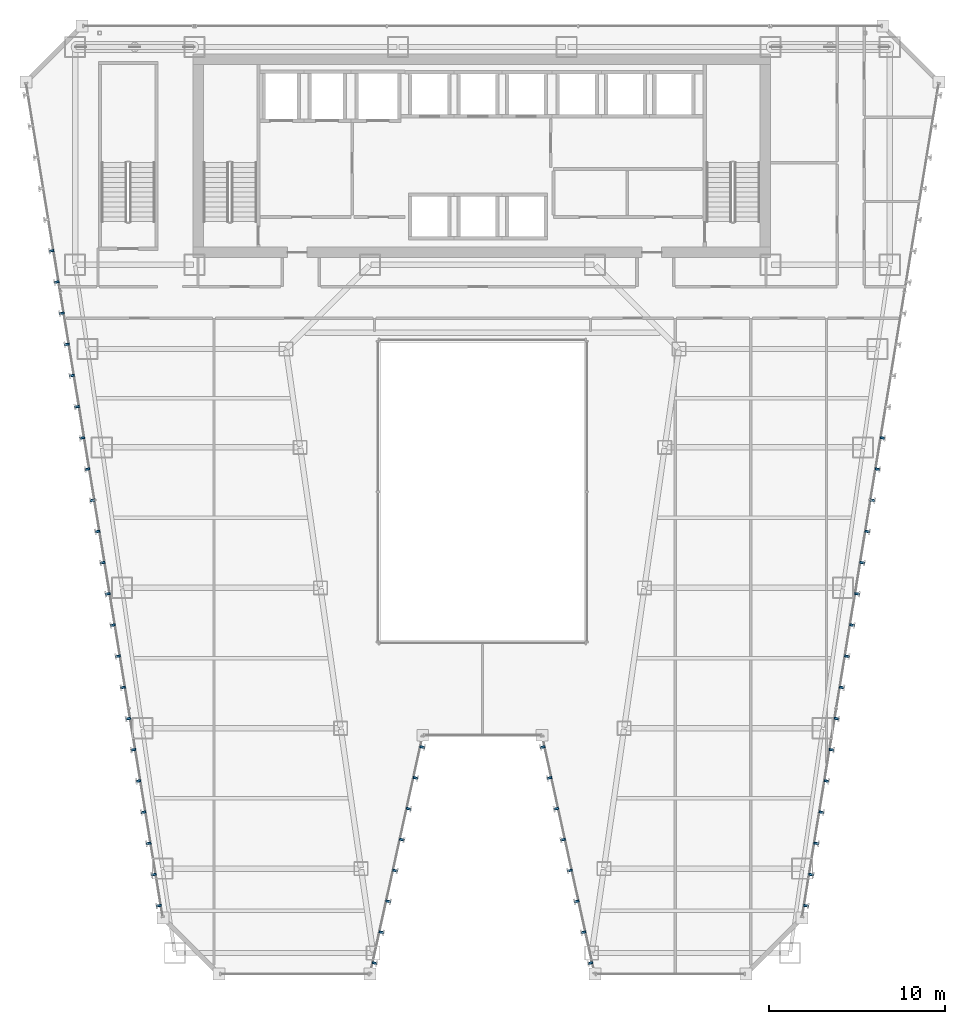
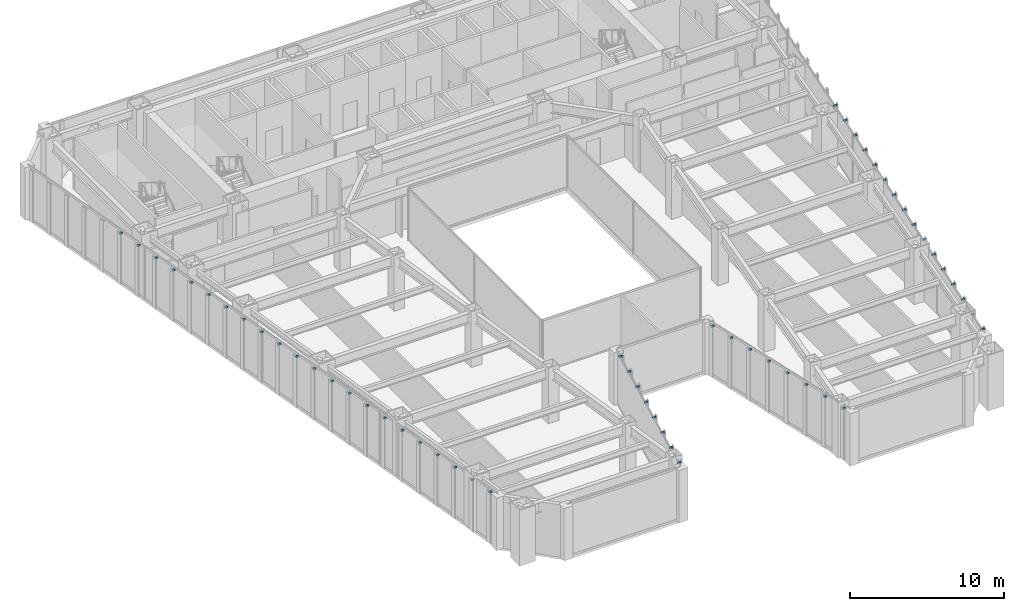
# One storey, part 39 of 47: 54 discrete accessories.
"""IFC4 building model written with IfcOpenShell, lengths in metres."""

from ifc_helpers import new_model, si_unit, direction, frame, origin, origin_2d, place, context, subcontext, project, spatial, rectangle, extrude, material, layer, layer_set, type_object, element, save


model = new_model("IFC4")

# Units and contexts
model_context = context("Model", 3, precision=1e-05, world=origin(), true_north=direction((0.0, 1.0)))
body_context = subcontext(model_context, "Body", "Model", "MODEL_VIEW")
ifc_project = project(units=[si_unit("LENGTHUNIT", "METRE"), si_unit("AREAUNIT", "SQUARE_METRE"), si_unit("VOLUMEUNIT", "CUBIC_METRE"), si_unit("PLANEANGLEUNIT", "RADIAN"), si_unit("MASSUNIT", "GRAM", prefix="KILO")], contexts=[model_context])

# Site, building, storey
site_placement = place(None, origin())
site = spatial("IfcSite", under=ifc_project, at=site_placement, CompositionType="ELEMENT")
building_placement = place(site_placement, origin())
building = spatial("IfcBuilding", under=site, at=building_placement, Name="Saevonmaru Cultural Tower", CompositionType="ELEMENT")
storey_placement = place(building_placement, frame((0.0, 0.0, 56.0)))
storey = spatial("IfcBuildingStorey", under=building, at=storey_placement, Name="L11", CompositionType="ELEMENT", Elevation=56.0)

# Discrete accessories
ifc_material = material(Name="Stainless Steel 316", Category="steel")
ifc_layer = layer(ifc_material, 0.1201171875, Name="Stainless Steel 316")
ifc_layer_set = layer_set([ifc_layer], Name="Stainless Steel 316")
discrete_accessory_type = type_object("IfcDiscreteAccessoryType", Name="ACC-FIN-BRKT", PredefinedType="BRACKET", material=ifc_layer_set)
for number, where, z_axis, x_axis, name in (
    (1, (23.850341796875, 2.624267578125, 3.929931640625), (0.0, 0.0, 1.0), (0.976522126798, -0.215417120661, 0.0), "L11 Bronze Fin Bracket E3-01"),
    (2, (24.238037109375, 4.3818359375, 3.929931640625), (0.0, 0.0, 1.0), (0.976522126798, -0.215417120661, 0.0), "L11 Bronze Fin Bracket E3-02"),
    (3, (24.625732421875, 6.1396484375, 3.929931640625), (0.0, 0.0, 1.0), (0.976522126798, -0.215417120661, 0.0), "L11 Bronze Fin Bracket E3-03"),
    (4, (25.013427734375, 7.8974609375, 3.929931640625), (0.0, 0.0, 1.0), (0.976522126798, -0.215417120661, 0.0), "L11 Bronze Fin Bracket E3-04"),
    (5, (25.4013671875, 9.6552734375, 3.929931640625), (0.0, 0.0, 1.0), (0.976522126798, -0.215417120661, 0.0), "L11 Bronze Fin Bracket E3-05"),
    (6, (25.7890625, 11.412841796875, 3.929931640625), (0.0, 0.0, 1.0), (0.976522126798, -0.215417120661, 0.0), "L11 Bronze Fin Bracket E3-06"),
    (7, (26.1767578125, 13.170654296875, 3.929931640625), (0.0, 0.0, 1.0), (0.976522126798, -0.215417120661, 0.0), "L11 Bronze Fin Bracket E3-07"),
    (8, (26.564453125, 14.928466796875, 3.929931640625), (0.0, 0.0, 1.0), (0.976522126798, -0.215417120661, 0.0), "L11 Bronze Fin Bracket E3-08"),
    (9, (33.435546875, 14.928466796875, 3.929931640625), (0.0, 0.0, 1.0), (-0.976522126798, -0.215417120661, 0.0), "L11 Bronze Fin Bracket E5-01"),
    (10, (33.8232421875, 13.170654296875, 3.929931640625), (0.0, 0.0, 1.0), (-0.976522126798, -0.215417120661, 0.0), "L11 Bronze Fin Bracket E5-02"),
    (11, (34.2109375, 11.412841796875, 3.929931640625), (0.0, 0.0, 1.0), (-0.976522126798, -0.215417120661, 0.0), "L11 Bronze Fin Bracket E5-03"),
    (12, (34.5986328125, 9.6552734375, 3.929931640625), (0.0, 0.0, 1.0), (-0.976522126798, -0.215417120661, 0.0), "L11 Bronze Fin Bracket E5-04"),
    (13, (34.986572265625, 7.8974609375, 3.929931640625), (0.0, 0.0, 1.0), (-0.976522126798, -0.215417120661, 0.0), "L11 Bronze Fin Bracket E5-05"),
    (14, (35.374267578125, 6.1396484375, 3.929931640625), (0.0, 0.0, 1.0), (-0.976522126798, -0.215417120661, 0.0), "L11 Bronze Fin Bracket E5-06"),
    (15, (35.761962890625, 4.3818359375, 3.929931640625), (0.0, 0.0, 1.0), (-0.976522126798, -0.215417120661, 0.0), "L11 Bronze Fin Bracket E5-07"),
    (16, (36.149658203125, 2.624267578125, 3.929931640625), (0.0, 0.0, 1.0), (-0.976522126798, -0.215417120661, 0.0), "L11 Bronze Fin Bracket E5-08"),
    (17, (48.424560546875, 5.89013671875, 3.929931640625), (0.0, 0.0, 1.0), (0.986827496189, -0.161776057456, 0.0), "L11 Bronze Fin Bracket E8-01"),
    (18, (48.715576171875, 7.66650390625, 3.929931640625), (0.0, 0.0, 1.0), (0.986827496189, -0.161776057456, 0.0), "L11 Bronze Fin Bracket E8-02"),
    (19, (49.006591796875, 9.44287109375, 3.929931640625), (0.0, 0.0, 1.0), (0.986827496189, -0.161776057456, 0.0), "L11 Bronze Fin Bracket E8-03"),
    (20, (49.2978515625, 11.218994140625, 3.929931640625), (0.0, 0.0, 1.0), (0.986827496189, -0.161776057456, 0.0), "L11 Bronze Fin Bracket E8-04"),
    (21, (49.5888671875, 12.995361328125, 3.929931640625), (0.0, 0.0, 1.0), (0.986827496189, -0.161776057456, 0.0), "L11 Bronze Fin Bracket E8-05"),
    (22, (49.8798828125, 14.771728515625, 3.929931640625), (0.0, 0.0, 1.0), (0.986827496189, -0.161776057456, 0.0), "L11 Bronze Fin Bracket E8-06"),
    (23, (50.1708984375, 16.548095703125, 3.929931640625), (0.0, 0.0, 1.0), (0.986827496189, -0.161776057456, 0.0), "L11 Bronze Fin Bracket E8-07"),
    (24, (50.462158203125, 18.324462890625, 3.929931640625), (0.0, 0.0, 1.0), (0.986827496189, -0.161776057456, 0.0), "L11 Bronze Fin Bracket E8-08"),
    (25, (50.753173828125, 20.1005859375, 3.929931640625), (0.0, 0.0, 1.0), (0.986827496189, -0.161776057456, 0.0), "L11 Bronze Fin Bracket E8-09"),
    (26, (51.044189453125, 21.876953125, 3.929931640625), (0.0, 0.0, 1.0), (0.986827496189, -0.161776057456, 0.0), "L11 Bronze Fin Bracket E8-10"),
    (27, (51.335205078125, 23.6533203125, 3.929931640625), (0.0, 0.0, 1.0), (0.986827496189, -0.161776057456, 0.0), "L11 Bronze Fin Bracket E8-11"),
    (28, (51.62646484375, 25.4296875, 3.929931640625), (0.0, 0.0, 1.0), (0.986827496189, -0.161776057456, 0.0), "L11 Bronze Fin Bracket E8-12"),
    (29, (51.91748046875, 27.205810546875, 3.929931640625), (0.0, 0.0, 1.0), (0.986827496189, -0.161776057456, 0.0), "L11 Bronze Fin Bracket E8-13"),
    (30, (52.20849609375, 28.982177734375, 3.929931640625), (0.0, 0.0, 1.0), (0.986827496189, -0.161776057456, 0.0), "L11 Bronze Fin Bracket E8-14"),
    (31, (52.49951171875, 30.758544921875, 3.929931640625), (0.0, 0.0, 1.0), (0.986827496189, -0.161776057456, 0.0), "L11 Bronze Fin Bracket E8-15"),
    (32, (52.790771484375, 32.534912109375, 3.929931640625), (0.0, 0.0, 1.0), (0.986827496189, -0.161776057456, 0.0), "L11 Bronze Fin Bracket E8-16"),
    (33, (5.462890625, 43.192626953125, 3.929931640625), (0.0, 0.0, 1.0), (-0.986827496189, -0.161776057456, 0.0), "L11 Bronze Fin Bracket E12-06"),
    (34, (5.75390625, 41.41650390625, 3.929931640625), (0.0, 0.0, 1.0), (-0.986827496189, -0.161776057456, 0.0), "L11 Bronze Fin Bracket E12-07"),
    (35, (6.044921875, 39.64013671875, 3.929931640625), (0.0, 0.0, 1.0), (-0.986827496189, -0.161776057456, 0.0), "L11 Bronze Fin Bracket E12-08"),
    (36, (6.336181640625, 37.86376953125, 3.929931640625), (0.0, 0.0, 1.0), (-0.986827496189, -0.161776057456, 0.0), "L11 Bronze Fin Bracket E12-09"),
    (37, (6.627197265625, 36.08740234375, 3.929931640625), (0.0, 0.0, 1.0), (-0.986827496189, -0.161776057456, 0.0), "L11 Bronze Fin Bracket E12-10"),
    (38, (6.918212890625, 34.31103515625, 3.929931640625), (0.0, 0.0, 1.0), (-0.986827496189, -0.161776057456, 0.0), "L11 Bronze Fin Bracket E12-11"),
    (39, (7.209228515625, 32.534912109375, 3.929931640625), (0.0, 0.0, 1.0), (-0.986827496189, -0.161776057456, 0.0), "L11 Bronze Fin Bracket E12-12"),
    (40, (7.50048828125, 30.758544921875, 3.929931640625), (0.0, 0.0, 1.0), (-0.986827496189, -0.161776057456, 0.0), "L11 Bronze Fin Bracket E12-13"),
    (41, (7.79150390625, 28.982177734375, 3.929931640625), (0.0, 0.0, 1.0), (-0.986827496189, -0.161776057456, 0.0), "L11 Bronze Fin Bracket E12-14"),
    (42, (8.08251953125, 27.205810546875, 3.929931640625), (0.0, 0.0, 1.0), (-0.986827496189, -0.161776057456, 0.0), "L11 Bronze Fin Bracket E12-15"),
    (43, (8.37353515625, 25.4296875, 3.929931640625), (0.0, 0.0, 1.0), (-0.986827496189, -0.161776057456, 0.0), "L11 Bronze Fin Bracket E12-16"),
    (44, (8.664794921875, 23.6533203125, 3.929931640625), (0.0, 0.0, 1.0), (-0.986827496189, -0.161776057456, 0.0), "L11 Bronze Fin Bracket E12-17"),
    (45, (8.955810546875, 21.876953125, 3.929931640625), (0.0, 0.0, 1.0), (-0.986827496189, -0.161776057456, 0.0), "L11 Bronze Fin Bracket E12-18"),
    (46, (9.246826171875, 20.1005859375, 3.929931640625), (0.0, 0.0, 1.0), (-0.986827496189, -0.161776057456, 0.0), "L11 Bronze Fin Bracket E12-19"),
    (47, (9.537841796875, 18.324462890625, 3.929931640625), (0.0, 0.0, 1.0), (-0.986827496189, -0.161776057456, 0.0), "L11 Bronze Fin Bracket E12-20"),
    (48, (9.8291015625, 16.548095703125, 3.929931640625), (0.0, 0.0, 1.0), (-0.986827496189, -0.161776057456, 0.0), "L11 Bronze Fin Bracket E12-21"),
    (49, (10.1201171875, 14.771728515625, 3.929931640625), (0.0, 0.0, 1.0), (-0.986827496189, -0.161776057456, 0.0), "L11 Bronze Fin Bracket E12-22"),
    (50, (10.4111328125, 12.995361328125, 3.929931640625), (0.0, 0.0, 1.0), (-0.986827496189, -0.161776057456, 0.0), "L11 Bronze Fin Bracket E12-23"),
    (51, (10.7021484375, 11.218994140625, 3.929931640625), (0.0, 0.0, 1.0), (-0.986827496189, -0.161776057456, 0.0), "L11 Bronze Fin Bracket E12-24"),
    (52, (10.993408203125, 9.44287109375, 3.929931640625), (0.0, 0.0, 1.0), (-0.986827496189, -0.161776057456, 0.0), "L11 Bronze Fin Bracket E12-25"),
    (53, (11.284423828125, 7.66650390625, 3.929931640625), (0.0, 0.0, 1.0), (-0.986827496189, -0.161776057456, 0.0), "L11 Bronze Fin Bracket E12-26"),
    (54, (11.575439453125, 5.89013671875, 3.929931640625), (0.0, 0.0, 1.0), (-0.986827496189, -0.161776057456, 0.0), "L11 Bronze Fin Bracket E12-27"),
):
    element("IfcDiscreteAccessory", number, at=place(storey_placement, frame(where, z_axis=z_axis, x_axis=x_axis)), inside=storey, type_object=discrete_accessory_type, Name=name, PredefinedType="BRACKET", context=body_context, shape_type="SweptSolid", body=[
        extrude(rectangle(XDim=0.260009765625, YDim=0.1201171875, at=origin_2d()), origin(), (0.0, 0.0, 1.0), 0.1201171875),
    ])

save(model, "model.ifc")
